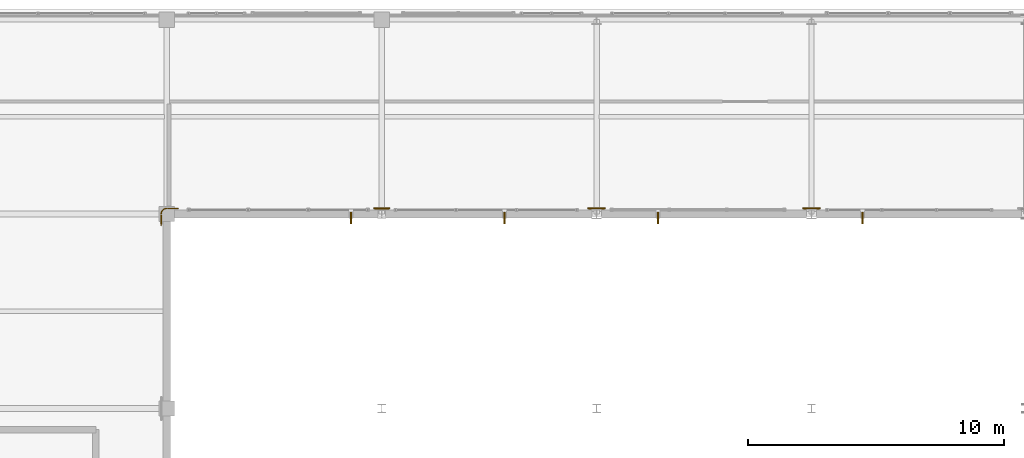
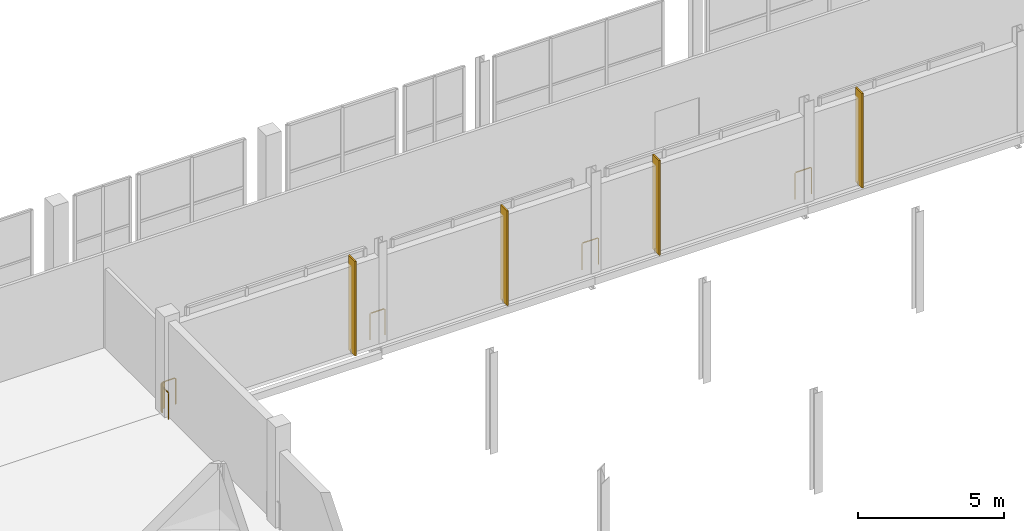
# One storey, part 212 of 217: 4 railings, 4 shading devices.
"""IFC4 building model written with IfcOpenShell, lengths in metres."""

from ifc_helpers import new_model, si_unit, direction, frame, origin, origin_2d, place, context, subcontext, project, spatial, rectangle, circle, extrude, material, type_object, element, save


model = new_model("IFC4")

# Units and contexts
model_context = context("Model", 3, precision=1e-05, world=origin(), true_north=direction((0.0, 1.0)))
body_context = subcontext(model_context, "Body", "Model", "MODEL_VIEW")
ifc_project = project(units=[si_unit("LENGTHUNIT", "METRE"), si_unit("AREAUNIT", "SQUARE_METRE"), si_unit("VOLUMEUNIT", "CUBIC_METRE"), si_unit("PLANEANGLEUNIT", "RADIAN"), si_unit("MASSUNIT", "GRAM", prefix="KILO")], contexts=[model_context])

# Site, building, storey
site_placement = place(None, origin())
site = spatial("IfcSite", under=ifc_project, at=site_placement, CompositionType="ELEMENT")
building_placement = place(site_placement, origin())
building = spatial("IfcBuilding", under=site, at=building_placement, Name="Zuvorla Pavilion Media Centre", CompositionType="ELEMENT")
storey_placement = place(building_placement, frame((0.0, 0.0, 9.60009765625)))
storey = spatial("IfcBuildingStorey", under=building, at=storey_placement, Name="L02", CompositionType="ELEMENT", Elevation=9.60009765625)

# Railings
ifc_material_1 = material(Name="Powder-coated steel balustrade guard", Category="steel")
railing_type = type_object("IfcRailingType", Name="RL-INT-GRD", PredefinedType="BALUSTRADE", material=ifc_material_1)
railing_1_placement = place(storey_placement, frame((134.326416015625, 44.219970703125, 0.0)))
element("IfcRailing", 1, at=railing_1_placement, inside=storey, type_object=railing_type, Name="L02 slab edge guard 62", PredefinedType="BALUSTRADE", context=body_context, shape_type="SweptSolid", body=[
    extrude(circle(Radius=0.02392578125, at=origin_2d()), frame((-0.02880859375, 0.0, 1.09619140625), z_axis=(-1.0, 0.0, 0.0), x_axis=(0.0, -1.0, 0.0)), (0.0, 0.0, 1.0), 0.59521484375),
    extrude(circle(Radius=0.02099609375, at=origin_2d()), origin(), (0.0, 0.0, 1.0), 1.070068359375),
    extrude(circle(Radius=0.02099609375, at=origin_2d()), frame((-0.65283203125, 0.0, 0.0)), (0.0, 0.0, 1.0), 1.070068359375),
])
railing_2_placement = place(storey_placement, frame((125.92626953125, 44.219970703125, 0.0)))
element("IfcRailing", 2, at=railing_2_placement, inside=storey, type_object=railing_type, Name="L02 slab edge guard 63", PredefinedType="BALUSTRADE", context=body_context, shape_type="SweptSolid", body=[
    extrude(circle(Radius=0.02392578125, at=origin_2d()), frame((-0.02880859375, 0.0, 1.09619140625), z_axis=(-1.0, 0.0, 0.0), x_axis=(0.0, -1.0, 0.0)), (0.0, 0.0, 1.0), 0.594970703125),
    extrude(circle(Radius=0.02099609375, at=origin_2d()), origin(), (0.0, 0.0, 1.0), 1.070068359375),
    extrude(circle(Radius=0.02099609375, at=origin_2d()), frame((-0.652587890625, 0.0, 0.0)), (0.0, 0.0, 1.0), 1.070068359375),
])
railing_3_placement = place(storey_placement, frame((117.49462890625, 44.219970703125, 0.0)))
element("IfcRailing", 3, at=railing_3_placement, inside=storey, type_object=railing_type, Name="L02 slab edge guard 64", PredefinedType="BALUSTRADE", context=body_context, shape_type="SweptSolid", body=[
    extrude(circle(Radius=0.02392578125, at=origin_2d()), frame((-0.02880859375, 0.0, 1.09619140625), z_axis=(-1.0, 0.0, 0.0), x_axis=(0.0, -1.0, 0.0)), (0.0, 0.0, 1.0), 0.531494140625),
    extrude(circle(Radius=0.02099609375, at=origin_2d()), origin(), (0.0, 0.0, 1.0), 1.070068359375),
    extrude(circle(Radius=0.02099609375, at=origin_2d()), frame((-0.589111328125, 0.0, 0.0)), (0.0, 0.0, 1.0), 1.070068359375),
])
railing_4_placement = place(storey_placement, frame((109.239990234375, 44.219970703125, 0.0)))
element("IfcRailing", 4, at=railing_4_placement, inside=storey, type_object=railing_type, Name="L02 slab edge guard 65", PredefinedType="BALUSTRADE", context=body_context, shape_type="SweptSolid", body=[
    extrude(circle(Radius=0.02392578125, at=origin_2d()), frame((-0.02880859375, 0.0, 1.09619140625), z_axis=(-1.0, 0.0, 0.0), x_axis=(0.0, -1.0, 0.0)), (0.0, 0.0, 1.0), 0.38232421875),
    extrude(circle(Radius=0.02392578125, at=origin_2d()), frame((-0.443115234375, -0.000244140625, 1.09619140625), z_axis=(-0.99899155401, -0.044898496809, 0.0), x_axis=(0.044898496809, -0.99899155401, 0.0)), (0.0, 0.0, 1.0), 0.02001953125),
    extrude(circle(Radius=0.02392578125, at=origin_2d()), frame((-0.46484375, -0.00146484375, 1.09619140625), z_axis=(-0.989019580795, -0.147784535061, 0.0), x_axis=(0.147784535061, -0.989019580795, 0.0)), (0.0, 0.0, 1.0), 0.02001953125),
    extrude(circle(Radius=0.02392578125, at=origin_2d()), frame((-0.486083984375, -0.0048828125, 1.09619140625), z_axis=(-0.968802704478, -0.247833249983, 0.0), x_axis=(0.247833249983, -0.968802704478, 0.0)), (0.0, 0.0, 1.0), 0.02001953125),
    extrude(circle(Radius=0.02392578125, at=origin_2d()), frame((-0.5068359375, -0.010498046875, 1.09619140625), z_axis=(-0.94403554212, -0.329843743632, 0.0), x_axis=(0.329843743632, -0.94403554212, 0.0)), (0.0, 0.0, 1.0), 0.02001953125),
    extrude(circle(Radius=0.02392578125, at=origin_2d()), frame((-0.527099609375, -0.01806640625, 1.09619140625), z_axis=(-0.903277504354, -0.429056814568, 0.0), x_axis=(0.429056814568, -0.903277504354, 0.0)), (0.0, 0.0, 1.0), 0.02001953125),
    extrude(circle(Radius=0.02392578125, at=origin_2d()), frame((-0.54638671875, -0.027587890625, 1.09619140625), z_axis=(-0.855500079018, -0.517802679406, 0.0), x_axis=(0.517802679406, -0.855500079018, 0.0)), (0.0, 0.0, 1.0), 0.02001953125),
    extrude(circle(Radius=0.02392578125, at=origin_2d()), frame((-0.56494140625, -0.0390625, 1.09619140625), z_axis=(-0.806766093747, -0.590870941899, 0.0), x_axis=(0.590870941899, -0.806766093747, 0.0)), (0.0, 0.0, 1.0), 0.02001953125),
    extrude(circle(Radius=0.02392578125, at=origin_2d()), frame((-0.58203125, -0.052001953125, 1.09619140625), z_axis=(-0.739940073396, -0.672672793996, 0.0), x_axis=(0.672672793996, -0.739940073396, 0.0)), (0.0, 0.0, 1.0), 0.02001953125),
    extrude(circle(Radius=0.02392578125, at=origin_2d()), frame((-0.597900390625, -0.06689453125, 1.09619140625), z_axis=(-0.672105592782, -0.740455314082, 0.0), x_axis=(0.740455314082, -0.672105592782, 0.0)), (0.0, 0.0, 1.0), 0.02001953125),
    extrude(circle(Radius=0.02392578125, at=origin_2d()), frame((-0.612060546875, -0.0830078125, 1.09619140625), z_axis=(-0.590870941899, -0.806766093747, 0.0), x_axis=(0.806766093747, -0.590870941899, 0.0)), (0.0, 0.0, 1.0), 0.02001953125),
    extrude(circle(Radius=0.02392578125, at=origin_2d()), frame((-0.62451171875, -0.100341796875, 1.09619140625), z_axis=(-0.517802679406, -0.855500079018, 0.0), x_axis=(0.855500079018, -0.517802679406, 0.0)), (0.0, 0.0, 1.0), 0.02001953125),
    extrude(circle(Radius=0.02392578125, at=origin_2d()), frame((-0.635498046875, -0.119140625, 1.09619140625), z_axis=(-0.429056814568, -0.903277504354, 0.0), x_axis=(0.903277504354, -0.429056814568, 0.0)), (0.0, 0.0, 1.0), 0.02001953125),
    extrude(circle(Radius=0.02392578125, at=origin_2d()), frame((-0.644287109375, -0.138671875, 1.09619140625), z_axis=(-0.329843743632, -0.94403554212, 0.0), x_axis=(0.94403554212, -0.329843743632, 0.0)), (0.0, 0.0, 1.0), 0.02001953125),
    extrude(circle(Radius=0.02392578125, at=origin_2d()), frame((-0.651123046875, -0.1591796875, 1.09619140625), z_axis=(-0.247833249983, -0.968802704478, 0.0), x_axis=(0.968802704478, -0.247833249983, 0.0)), (0.0, 0.0, 1.0), 0.02001953125),
    extrude(circle(Radius=0.02392578125, at=origin_2d()), frame((-0.65625, -0.18017578125, 1.09619140625), z_axis=(-0.146141233759, -0.989263736218, 0.0), x_axis=(0.989263736218, -0.146141233759, 0.0)), (0.0, 0.0, 1.0), 0.02001953125),
    extrude(circle(Radius=0.02392578125, at=origin_2d()), frame((-0.6591796875, -0.20166015625, 1.09619140625), z_axis=(-0.045407660919, -0.99896854021, 0.0), x_axis=(0.99896854021, -0.045407660919, 0.0)), (0.0, 0.0, 1.0), 0.02001953125),
    extrude(circle(Radius=0.02392578125, at=origin_2d()), frame((-0.659912109375, -0.248779296875, 1.09619140625), z_axis=(0.0, -1.0, 0.0), x_axis=(1.0, 0.0, 0.0)), (0.0, 0.0, 1.0), 0.38232421875),
    extrude(circle(Radius=0.02099609375, at=origin_2d()), origin(), (0.0, 0.0, 1.0), 1.070068359375),
    extrude(circle(Radius=0.02099609375, at=origin_2d()), frame((-0.43994140625, 0.0, 0.0)), (0.0, 0.0, 1.0), 1.070068359375),
    extrude(circle(Radius=0.02099609375, at=origin_2d()), frame((-0.461669921875, -0.0009765625, 0.0)), (0.0, 0.0, 1.0), 1.070068359375),
    extrude(circle(Radius=0.02099609375, at=origin_2d()), frame((-0.48291015625, -0.004150390625, 0.0)), (0.0, 0.0, 1.0), 1.070068359375),
    extrude(circle(Radius=0.02099609375, at=origin_2d()), frame((-0.50390625, -0.009521484375, 0.0)), (0.0, 0.0, 1.0), 1.070068359375),
    extrude(circle(Radius=0.02099609375, at=origin_2d()), frame((-0.524169921875, -0.0166015625, 0.0)), (0.0, 0.0, 1.0), 1.070068359375),
    extrude(circle(Radius=0.02099609375, at=origin_2d()), frame((-0.543701171875, -0.02587890625, 0.0)), (0.0, 0.0, 1.0), 1.070068359375),
    extrude(circle(Radius=0.02099609375, at=origin_2d()), frame((-0.562255859375, -0.037109375, 0.0)), (0.0, 0.0, 1.0), 1.070068359375),
    extrude(circle(Radius=0.02099609375, at=origin_2d()), frame((-0.57958984375, -0.0498046875, 0.0)), (0.0, 0.0, 1.0), 1.070068359375),
    extrude(circle(Radius=0.02099609375, at=origin_2d()), frame((-0.595703125, -0.064453125, 0.0)), (0.0, 0.0, 1.0), 1.070068359375),
    extrude(circle(Radius=0.02099609375, at=origin_2d()), frame((-0.610107421875, -0.080322265625, 0.0)), (0.0, 0.0, 1.0), 1.070068359375),
    extrude(circle(Radius=0.02099609375, at=origin_2d()), frame((-0.622802734375, -0.09765625, 0.0)), (0.0, 0.0, 1.0), 1.070068359375),
    extrude(circle(Radius=0.02099609375, at=origin_2d()), frame((-0.634033203125, -0.1162109375, 0.0)), (0.0, 0.0, 1.0), 1.070068359375),
    extrude(circle(Radius=0.02099609375, at=origin_2d()), frame((-0.643310546875, -0.1357421875, 0.0)), (0.0, 0.0, 1.0), 1.070068359375),
    extrude(circle(Radius=0.02099609375, at=origin_2d()), frame((-0.650390625, -0.156005859375, 0.0)), (0.0, 0.0, 1.0), 1.070068359375),
    extrude(circle(Radius=0.02099609375, at=origin_2d()), frame((-0.65576171875, -0.177001953125, 0.0)), (0.0, 0.0, 1.0), 1.070068359375),
    extrude(circle(Radius=0.02099609375, at=origin_2d()), frame((-0.658935546875, -0.198486328125, 0.0)), (0.0, 0.0, 1.0), 1.070068359375),
    extrude(circle(Radius=0.02099609375, at=origin_2d()), frame((-0.659912109375, -0.219970703125, 0.0)), (0.0, 0.0, 1.0), 1.070068359375),
    extrude(circle(Radius=0.02099609375, at=origin_2d()), frame((-0.659912109375, -0.659912109375, 0.0)), (0.0, 0.0, 1.0), 1.070068359375),
])

# Shading devices
ifc_material_2 = material(Name="Anodised aluminium aerofoil brise-soleil fin", Category="aluminium")
shading_device_type = type_object("IfcShadingDeviceType", Name="SHD-FIN-ALU", PredefinedType="USERDEFINED", material=ifc_material_2)
for number, where, z_axis, x_axis, name in (
    (5, (116.0, 43.85009765625, 0.0), (0.0, 0.0, 1.0), (1.0, 0.0, 0.0), "L02 aluminium solar fin 7"),
    (6, (122.0, 43.85009765625, 0.0), (0.0, 0.0, 1.0), (1.0, 0.0, 0.0), "L02 aluminium solar fin 8"),
    (7, (128.0, 43.85009765625, 0.0), (0.0, 0.0, 1.0), (1.0, 0.0, 0.0), "L02 aluminium solar fin 9"),
    (8, (136.0, 43.85009765625, 0.0), (0.0, 0.0, 1.0), (1.0, 0.0, 0.0), "L02 aluminium solar fin 10"),
):
    element("IfcShadingDevice", number, at=place(storey_placement, frame(where, z_axis=z_axis, x_axis=x_axis)), inside=storey, type_object=shading_device_type, Name=name, ObjectType="FIN", PredefinedType="USERDEFINED", context=body_context, shape_type="SweptSolid", body=[
        extrude(rectangle(XDim=0.06005859375, YDim=0.449951171875, at=origin_2d()), origin(), (0.0, 0.0, 1.0), 3.949951171875),
    ])

save(model, "model.ifc")
